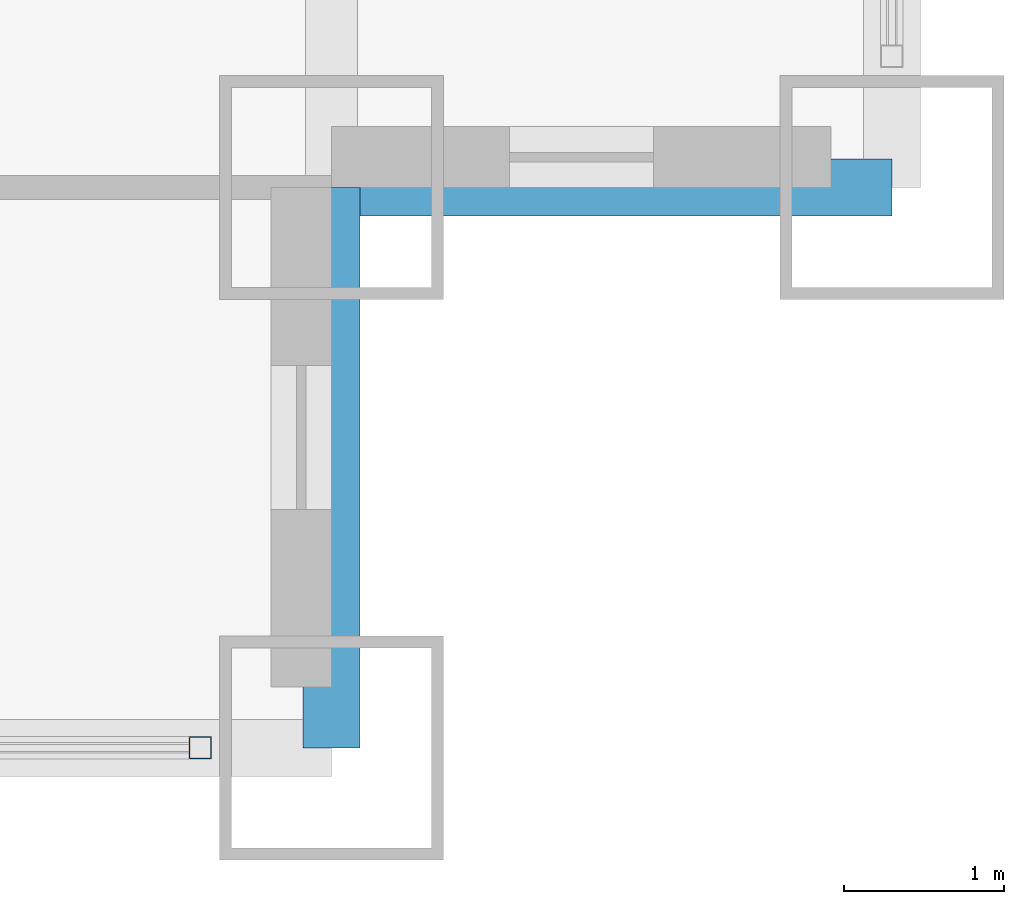
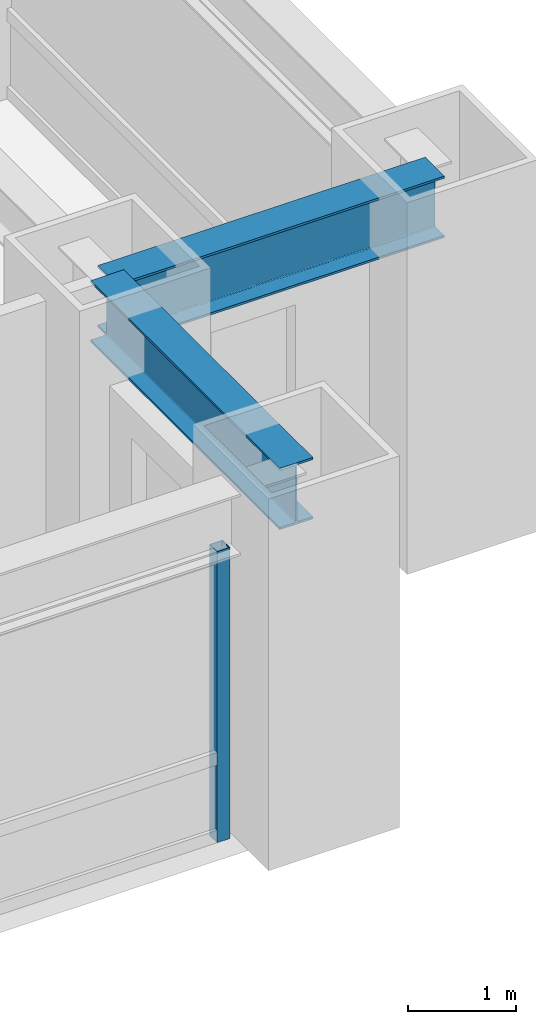
# One storey, part 10 of 28: 2 beams, 1 member, 1 element without a shape of its own.
"""IFC4 building model written with IfcOpenShell, lengths in metres."""

from ifc_helpers import new_model, si_unit, direction, frame, origin, origin_2d, place, context, subcontext, project, spatial, hollow_rectangle, i_section, extrude, source, transform, mapped, material, material_profile, profile_set, type_object, element, aggregate, save


model = new_model("IFC4")

# Units and contexts
model_context = context("Model", 3, precision=1e-05, world=origin(), true_north=direction((0.0, 1.0)))
body_context = subcontext(model_context, "Body", "Model", "MODEL_VIEW")
ifc_project = project(units=[si_unit("LENGTHUNIT", "METRE"), si_unit("AREAUNIT", "SQUARE_METRE"), si_unit("VOLUMEUNIT", "CUBIC_METRE"), si_unit("PLANEANGLEUNIT", "RADIAN"), si_unit("MASSUNIT", "GRAM", prefix="KILO")], contexts=[model_context])

# Site, building, storey
site_placement = place(None, origin())
site = spatial("IfcSite", under=ifc_project, at=site_placement, CompositionType="ELEMENT")
building_placement = place(site_placement, origin())
building = spatial("IfcBuilding", under=site, at=building_placement, Name="Khorayat Bourse Tower", CompositionType="ELEMENT")
storey_placement = place(building_placement, frame((0.0, 0.0, 66.199951171875)))
storey = spatial("IfcBuildingStorey", under=building, at=storey_placement, Name="L14", CompositionType="ELEMENT", Elevation=66.199951171875)

# Beams
ifc_material_1 = material(Name="Steel ASTM A992 Grade 50", Category="steel")
ifc_material_profile_1 = material_profile(ifc_material_1, i_section(OverallWidth=0.35498046875, OverallDepth=0.695068359375, WebThickness=0.015380859375, FlangeThickness=0.02490234375, FilletRadius=0.01806640625, at=origin_2d()), Name="W690X217")
ifc_profile_set_1 = profile_set([ifc_material_profile_1], Name="Steel ASTM A992 Grade 50")
beam_type = type_object("IfcBeamType", Name="BM-SPAN-690", PredefinedType="SPANDREL", material=ifc_profile_set_1)
shared_shape_1 = source(origin(), body_context, "Body", "SweptSolid", [
    extrude(i_section(OverallWidth=0.35498046875, OverallDepth=0.695068359375, WebThickness=0.015380859375, FlangeThickness=0.02490234375, FilletRadius=0.01806640625, at=origin_2d()), origin(), (0.0, 0.0, 1.0), 3.5),
])
for number, where, z_axis, x_axis, name in (
    (1, (28.5, -32.0, 3.592529296875), (0.0, 1.0, 0.0), (-1.0, 0.0, 0.0), "L14 BM-SPAN-690 BM-L14-SPN-032"),
    (2, (28.5, -28.5, 3.592529296875), (1.0, 0.0, 0.0), (0.0, 1.0, 0.0), "L14 BM-SPAN-690 BM-L14-SPN-033"),
):
    element("IfcBeam", number, at=place(storey_placement, frame(where, z_axis=z_axis, x_axis=x_axis)), inside=storey, type_object=beam_type, Name=name, PredefinedType="SPANDREL", context=body_context, shape_type="MappedRepresentation", body=[
        mapped(shared_shape_1, transform((0.0, 0.0, 0.0), scale=1.0)),
    ])

# Curtain wall, member
ifc_material_2 = material(Name="Aluminium EN AW-6063 T6", Category="aluminium")
curtain_wall_type = type_object("IfcCurtainWallType", Name="CW-SYS-02", PredefinedType="NOTDEFINED", material=ifc_material_2)
curtain_wall_placement = place(storey_placement, origin())
curtain_wall = element("IfcCurtainWall", 3, at=curtain_wall_placement, inside=storey, type_object=curtain_wall_type, Name="L14 Curtain Wall CW-L14-S1", PredefinedType="NOTDEFINED")
ifc_material_profile_2 = material_profile(ifc_material_2, hollow_rectangle(XDim=0.139892578125, YDim=0.139892578125, WallThickness=0.006103515625, at=origin_2d()), Name="ALU 140x140x6")
ifc_profile_set_2 = profile_set([ifc_material_profile_2], Name="Aluminium EN AW-6063 T6")
member_type = type_object("IfcMemberType", Name="CWM-VERT-140", PredefinedType="MULLION", material=ifc_profile_set_2)
shared_shape_2 = source(origin(), body_context, "Body", "SweptSolid", [
    extrude(hollow_rectangle(XDim=0.139892578125, YDim=0.139892578125, WallThickness=0.006103515625, at=origin_2d()), origin(), (0.0, 0.0, 1.0), 3.2900390625),
])
member_placement = place(storey_placement, frame((27.679931640625, -32.0, 0.0), z_axis=(0.0, 0.0, 1.0), x_axis=(0.0, 1.0, 0.0)))
member = element("IfcMember", 4, at=member_placement, type_object=member_type, Name="CW-L14-S1 Vertical Mullion 4", PredefinedType="MULLION", context=body_context, shape_type="MappedRepresentation", body=[
    mapped(shared_shape_2, transform((0.0, 0.0, 0.0), scale=1.0)),
])
aggregate(curtain_wall, [member])

save(model, "model.ifc")
